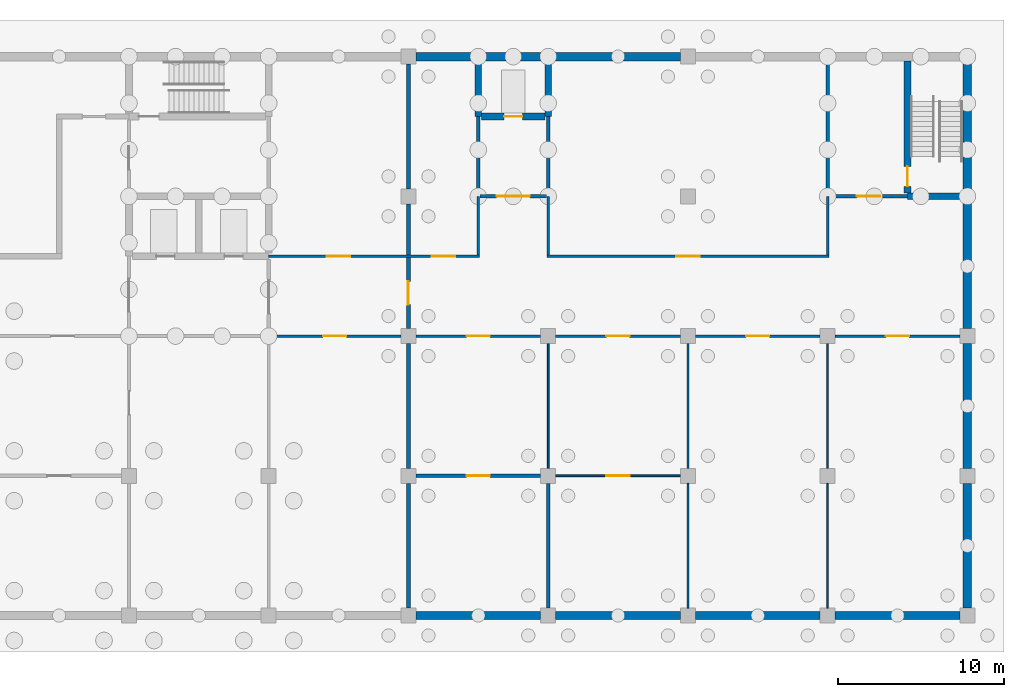
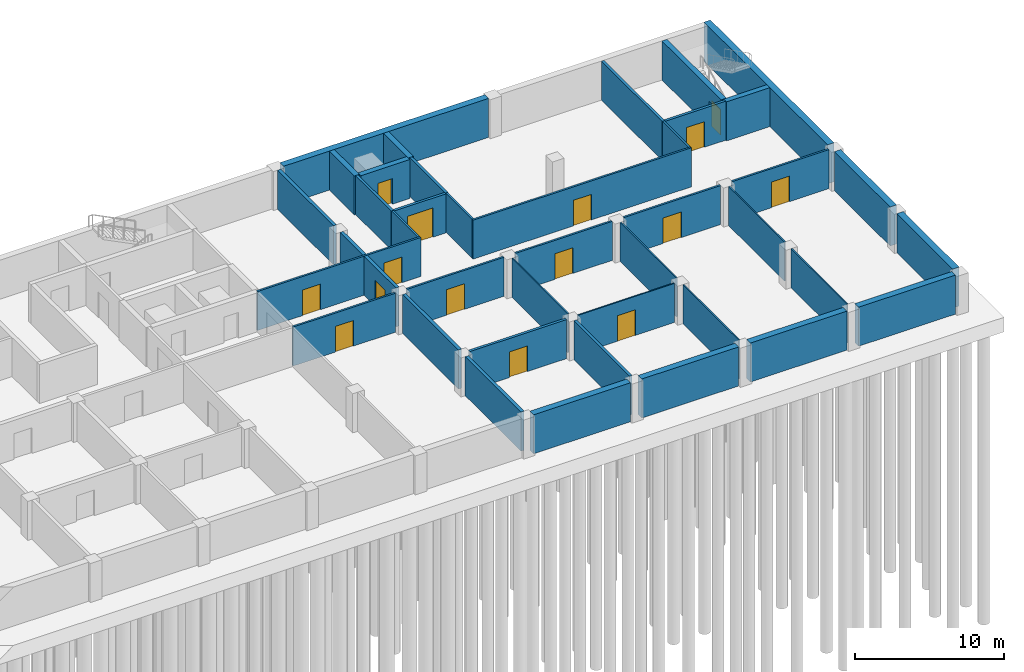
# One storey, part 8 of 11: 41 walls, 15 doors, 15 openings.
"""IFC4 building model written with IfcOpenShell, lengths in metres."""

from ifc_helpers import new_model, si_unit, direction, frame, frame_2d, origin, place, context, subcontext, project, spatial, rectangle, extrude, material, layer, layer_set, type_object, element, fill, save


model = new_model("IFC4")

# Units and contexts
model_context = context("Model", 3, precision=1e-05, world=origin(), true_north=direction((0.0, 1.0)))
body_context = subcontext(model_context, "Body", "Model", "MODEL_VIEW")
ifc_project = project(units=[si_unit("LENGTHUNIT", "METRE"), si_unit("AREAUNIT", "SQUARE_METRE"), si_unit("VOLUMEUNIT", "CUBIC_METRE"), si_unit("PLANEANGLEUNIT", "RADIAN"), si_unit("MASSUNIT", "GRAM", prefix="KILO")], contexts=[model_context])

# Site, building, storey
site_placement = place(None, origin())
site = spatial("IfcSite", under=ifc_project, at=site_placement, CompositionType="ELEMENT")
building_placement = place(site_placement, origin())
building = spatial("IfcBuilding", under=site, at=building_placement, Name="Yavir Park General Hospital", CompositionType="ELEMENT")
storey_placement = place(building_placement, frame((0.0, 0.0, -15.0)))
storey = spatial("IfcBuildingStorey", under=building, at=storey_placement, Name="B4", CompositionType="ELEMENT", Elevation=-15.0)

# Walls
ifc_material_1 = material(Name="Concrete C30/37", Category="concrete")
ifc_layer_1 = layer(ifc_material_1, 0.25)
ifc_layer_set_1 = layer_set([ifc_layer_1], Name="Concrete C30/37")
wall_type_1 = type_object("IfcWallType", Name="Compartment fire wall 250, REI 150", PredefinedType="SOLIDWALL", material=ifc_layer_set_1)
for number, where, z_axis, x_axis, name in (
    (1, (134.39990234375, 0.449951171875, 0.0), (0.0, 0.0, 1.0), (0.0, 1.0, 0.0), "FW25 B4-129"),
    (2, (134.39990234375, 8.85009765625, 0.0), (0.0, 0.0, 1.0), (0.0, 1.0, 0.0), "FW25 B4-130"),
):
    element("IfcWall", number, at=place(storey_placement, frame(where, z_axis=z_axis, x_axis=x_axis)), inside=storey, type_object=wall_type_1, Name=name, PredefinedType="SOLIDWALL", context=body_context, shape_type="SweptSolid", body=[
        extrude(rectangle(XDim=7.5, YDim=0.25, at=frame_2d((3.75, 0.0))), origin(), (0.0, 0.0, 1.0), 3.199951171875),
    ])

# Wall, opening, door
wall_1_placement = place(storey_placement, frame((134.39990234375, 17.25, 0.0), z_axis=(0.0, 0.0, 1.0), x_axis=(0.0, 1.0, 0.0)))
wall_1 = element("IfcWall", 3, at=wall_1_placement, inside=storey, type_object=wall_type_1, Name="FW25 B4-131", PredefinedType="SOLIDWALL", context=body_context, shape_type="SweptSolid", body=[
    extrude(rectangle(XDim=4.27490234375, YDim=0.25, at=frame_2d((2.137451171875, 0.0))), origin(), (0.0, 0.0, 1.0), 3.199951171875),
])
opening_1_placement = place(wall_1_placement, frame((1.4375, 0.0, 0.0)))
opening_1 = element("IfcOpeningElement", 4, at=opening_1_placement, cuts=wall_1, Name="Opening B4.D069", PredefinedType="OPENING", context=body_context, shape_type="SweptSolid", body=[
    extrude(rectangle(XDim=1.39990234375, YDim=2.10009765625, at=frame_2d((0.699951171875, 1.050048828125))), frame((0.0, 0.135009765625, 0.0), z_axis=(0.0, -1.0, 0.0), x_axis=(1.0, 0.0, 0.0)), (0.0, 0.0, 1.0), 0.27001953125),
])
ifc_material_2 = material(Name="Steel frame, fire-resisting leaves with vision panels", Category="steel")
door_type_1 = type_object("IfcDoorType", Name="Double fire door with vision panels 1400 x 2100, EI 60", OperationType="DOUBLE_DOOR_SINGLE_SWING", PredefinedType="DOOR", material=ifc_material_2)
door_1_placement = place(opening_1_placement, origin())
door_1 = element("IfcDoor", 5, at=door_1_placement, inside=storey, type_object=door_type_1, Name="B4.D069", OperationType="SINGLE_SWING_LEFT", OverallHeight=2.10009765625, OverallWidth=1.39990234375, PredefinedType="DOOR", context=body_context, shape_type="SweptSolid", body=[
    extrude(rectangle(XDim=1.39990234375, YDim=2.10009765625, at=frame_2d((0.699951171875, 1.050048828125))), frame((0.0, 0.030029296875, 0.0), z_axis=(0.0, -1.0, 0.0), x_axis=(1.0, 0.0, 0.0)), (0.0, 0.0, 1.0), 0.06005859375),
])
fill(opening_1, door_1)

# Walls
wall_2_placement = place(storey_placement, frame((134.39990234375, 21.675048828125, 0.0), z_axis=(0.0, 0.0, 1.0), x_axis=(0.0, 1.0, 0.0)))
element("IfcWall", 6, at=wall_2_placement, inside=storey, type_object=wall_type_1, Name="FW25 B4-132", PredefinedType="SOLIDWALL", context=body_context, shape_type="SweptSolid", body=[
    extrude(rectangle(XDim=3.074951171875, YDim=0.25, at=frame_2d((1.53759765625, 0.0))), origin(), (0.0, 0.0, 1.0), 3.199951171875),
])
wall_3_placement = place(storey_placement, frame((134.39990234375, 25.64990234375, 0.0), z_axis=(0.0, 0.0, 1.0), x_axis=(0.0, 1.0, 0.0)))
element("IfcWall", 7, at=wall_3_placement, inside=storey, type_object=wall_type_1, Name="FW25 B4-133", PredefinedType="SOLIDWALL", context=body_context, shape_type="SweptSolid", body=[
    extrude(rectangle(XDim=7.5, YDim=0.25, at=frame_2d((3.75, 0.0))), origin(), (0.0, 0.0, 1.0), 3.199951171875),
])

# Wall, opening, door
ifc_material_3 = material(Name="Double gypsum board fire partition on steel studs", Category="steel")
ifc_layer_2 = layer(ifc_material_3, 0.199951171875)
ifc_layer_set_2 = layer_set([ifc_layer_2], Name="Double gypsum board fire partition on steel studs")
wall_type_2 = type_object("IfcWallType", Name="Fire-rated partition 200, EI 60", PredefinedType="PARTITIONING", material=ifc_layer_set_2)
wall_4_placement = place(storey_placement, frame((134.85009765625, 8.39990234375, 0.0), z_axis=(0.0, 0.0, 1.0), x_axis=(1.0, 0.0, 0.0)))
wall_4 = element("IfcWall", 8, at=wall_4_placement, inside=storey, type_object=wall_type_2, Name="FP20 B4-009", PredefinedType="PARTITIONING", context=body_context, shape_type="SweptSolid", body=[
    extrude(rectangle(XDim=7.5, YDim=0.199951171875, at=frame_2d((3.75, 0.0))), origin(), (0.0, 0.0, 1.0), 3.199951171875),
])
opening_2_placement = place(wall_4_placement, frame((3.050048828125, 0.0, 0.0)))
opening_2 = element("IfcOpeningElement", 9, at=opening_2_placement, cuts=wall_4, Name="Opening B4.D009", PredefinedType="OPENING", context=body_context, shape_type="SweptSolid", body=[
    extrude(rectangle(XDim=1.39990234375, YDim=2.10009765625, at=frame_2d((0.699951171875, 1.050048828125))), frame((0.0, 0.10986328125, 0.0), z_axis=(0.0, -1.0, 0.0), x_axis=(1.0, 0.0, 0.0)), (0.0, 0.0, 1.0), 0.219970703125),
])
ifc_material_4 = material(Name="Steel frame, fire-resisting timber leaves", Category="steel")
door_type_2 = type_object("IfcDoorType", Name="Double fire door 1400 x 2100, EI 60", OperationType="DOUBLE_DOOR_SINGLE_SWING", PredefinedType="DOOR", material=ifc_material_4)
door_2_placement = place(opening_2_placement, origin())
door_2 = element("IfcDoor", 10, at=door_2_placement, inside=storey, type_object=door_type_2, Name="B4.D009", OperationType="SINGLE_SWING_LEFT", OverallHeight=2.10009765625, OverallWidth=1.39990234375, PredefinedType="DOOR", context=body_context, shape_type="SweptSolid", body=[
    extrude(rectangle(XDim=1.39990234375, YDim=2.10009765625, at=frame_2d((0.699951171875, 1.050048828125))), frame((0.0, 0.02490234375, 0.0), z_axis=(0.0, -1.0, 0.0), x_axis=(1.0, 0.0, 0.0)), (0.0, 0.0, 1.0), 0.050048828125),
])
fill(opening_2, door_2)

wall_5_placement = place(storey_placement, frame((138.699951171875, 25.199951171875, 0.0), z_axis=(0.0, 0.0, 1.0), x_axis=(1.0, 0.0, 0.0)))
wall_5 = element("IfcWall", 11, at=wall_5_placement, inside=storey, type_object=wall_type_2, Name="FP20 B4-048", PredefinedType="PARTITIONING", context=body_context, shape_type="SweptSolid", body=[
    extrude(rectangle(XDim=4.0, YDim=0.199951171875, at=frame_2d((2.0, 0.0))), origin(), (0.0, 0.0, 1.0), 3.199951171875),
])
opening_3_placement = place(wall_5_placement, frame((1.0, 0.0, 0.0)))
opening_3 = element("IfcOpeningElement", 12, at=opening_3_placement, cuts=wall_5, Name="Opening B4.D047", PredefinedType="OPENING", context=body_context, shape_type="SweptSolid", body=[
    extrude(rectangle(XDim=2.0, YDim=2.39990234375, at=frame_2d((1.0, 1.199951171875))), frame((0.0, 0.10986328125, 0.0), z_axis=(0.0, -1.0, 0.0), x_axis=(1.0, 0.0, 0.0)), (0.0, 0.0, 1.0), 0.219970703125),
])
ifc_material_5 = material(Name="Steel frame, fire-resisting leaves with vision panels", Category="steel")
door_type_3 = type_object("IfcDoorType", Name="Double fire door with vision panels 2000 x 2400, EI 60", OperationType="DOUBLE_DOOR_SINGLE_SWING", PredefinedType="DOOR", material=ifc_material_5)
door_3_placement = place(opening_3_placement, origin())
door_3 = element("IfcDoor", 13, at=door_3_placement, inside=storey, type_object=door_type_3, Name="B4.D047", OperationType="SINGLE_SWING_LEFT", OverallHeight=2.39990234375, OverallWidth=2.0, PredefinedType="DOOR", context=body_context, shape_type="SweptSolid", body=[
    extrude(rectangle(XDim=2.0, YDim=2.39990234375, at=frame_2d((1.0, 1.199951171875))), frame((0.0, 0.030029296875, 0.0), z_axis=(0.0, -1.0, 0.0), x_axis=(1.0, 0.0, 0.0)), (0.0, 0.0, 1.0), 0.06005859375),
])
fill(opening_3, door_3)

wall_6_placement = place(storey_placement, frame((159.699951171875, 25.199951171875, 0.0), z_axis=(0.0, 0.0, 1.0), x_axis=(1.0, 0.0, 0.0)))
wall_6 = element("IfcWall", 14, at=wall_6_placement, inside=storey, type_object=wall_type_2, Name="FP20 B4-049", PredefinedType="PARTITIONING", context=body_context, shape_type="SweptSolid", body=[
    extrude(rectangle(XDim=4.699951171875, YDim=0.199951171875, at=frame_2d((2.35009765625, 0.0))), origin(), (0.0, 0.0, 1.0), 3.199951171875),
])
opening_4_placement = place(wall_6_placement, frame((1.64990234375, 0.0, 0.0)))
opening_4 = element("IfcOpeningElement", 15, at=opening_4_placement, cuts=wall_6, Name="Opening B4.D048", PredefinedType="OPENING", context=body_context, shape_type="SweptSolid", body=[
    extrude(rectangle(XDim=1.39990234375, YDim=2.10009765625, at=frame_2d((0.699951171875, 1.050048828125))), frame((0.0, 0.10986328125, 0.0), z_axis=(0.0, -1.0, 0.0), x_axis=(1.0, 0.0, 0.0)), (0.0, 0.0, 1.0), 0.219970703125),
])
door_4_placement = place(opening_4_placement, origin())
door_4 = element("IfcDoor", 16, at=door_4_placement, inside=storey, type_object=door_type_1, Name="B4.D048", OperationType="SINGLE_SWING_LEFT", OverallHeight=2.10009765625, OverallWidth=1.39990234375, PredefinedType="DOOR", context=body_context, shape_type="SweptSolid", body=[
    extrude(rectangle(XDim=1.39990234375, YDim=2.10009765625, at=frame_2d((0.699951171875, 1.050048828125))), frame((0.0, 0.030029296875, 0.0), z_axis=(0.0, -1.0, 0.0), x_axis=(1.0, 0.0, 0.0)), (0.0, 0.0, 1.0), 0.06005859375),
])
fill(opening_4, door_4)

# Walls
wall_7_placement = place(storey_placement, frame((138.60009765625, 25.199951171875, 0.0), z_axis=(0.0, 0.0, 1.0), x_axis=(0.0, 1.0, 0.0)))
element("IfcWall", 17, at=wall_7_placement, inside=storey, type_object=wall_type_2, Name="FP20 B4-135", PredefinedType="PARTITIONING", context=body_context, shape_type="SweptSolid", body=[
    extrude(rectangle(XDim=4.800048828125, YDim=0.199951171875, at=frame_2d((2.39990234375, 0.0))), origin(), (0.0, 0.0, 1.0), 3.199951171875),
])
wall_8_placement = place(storey_placement, frame((142.800048828125, 0.449951171875, 0.0), z_axis=(0.0, 0.0, 1.0), x_axis=(0.0, 1.0, 0.0)))
element("IfcWall", 18, at=wall_8_placement, inside=storey, type_object=wall_type_2, Name="FP20 B4-137", PredefinedType="PARTITIONING", context=body_context, shape_type="SweptSolid", body=[
    extrude(rectangle(XDim=7.5, YDim=0.199951171875, at=frame_2d((3.75, 0.0))), origin(), (0.0, 0.0, 1.0), 3.199951171875),
])
wall_9_placement = place(storey_placement, frame((142.800048828125, 25.199951171875, 0.0), z_axis=(0.0, 0.0, 1.0), x_axis=(0.0, 1.0, 0.0)))
element("IfcWall", 19, at=wall_9_placement, inside=storey, type_object=wall_type_2, Name="FP20 B4-140", PredefinedType="PARTITIONING", context=body_context, shape_type="SweptSolid", body=[
    extrude(rectangle(XDim=4.800048828125, YDim=0.199951171875, at=frame_2d((2.39990234375, 0.0))), origin(), (0.0, 0.0, 1.0), 3.199951171875),
])
wall_10_placement = place(storey_placement, frame((159.60009765625, 25.199951171875, 0.0), z_axis=(0.0, 0.0, 1.0), x_axis=(0.0, 1.0, 0.0)))
element("IfcWall", 20, at=wall_10_placement, inside=storey, type_object=wall_type_2, Name="FP20 B4-147", PredefinedType="PARTITIONING", context=body_context, shape_type="SweptSolid", body=[
    extrude(rectangle(XDim=8.150146484375, YDim=0.199951171875, at=frame_2d((4.0751953125, 0.0))), origin(), (0.0, 0.0, 1.0), 3.199951171875),
])

# Wall, opening, door
ifc_material_6 = material(Name="Gypsum board partition on steel studs", Category="steel")
ifc_layer_3 = layer(ifc_material_6, 0.10009765625)
ifc_layer_set_3 = layer_set([ifc_layer_3], Name="Gypsum board partition on steel studs")
wall_type_3 = type_object("IfcWallType", Name="Gypsum board partition 100", PredefinedType="PARTITIONING", material=ifc_layer_set_3)
wall_11_placement = place(storey_placement, frame((143.25, 8.39990234375, 0.0), z_axis=(0.0, 0.0, 1.0), x_axis=(1.0, 0.0, 0.0)))
wall_11 = element("IfcWall", 21, at=wall_11_placement, inside=storey, type_object=wall_type_3, Name="P10 B4-010", PredefinedType="PARTITIONING", context=body_context, shape_type="SweptSolid", body=[
    extrude(rectangle(XDim=7.5, YDim=0.10009765625, at=frame_2d((3.75, 0.0))), origin(), (0.0, 0.0, 1.0), 3.199951171875),
])
opening_5_placement = place(wall_11_placement, frame((3.050048828125, 0.0, 0.0)))
opening_5 = element("IfcOpeningElement", 22, at=opening_5_placement, cuts=wall_11, Name="Opening B4.D010", PredefinedType="OPENING", context=body_context, shape_type="SweptSolid", body=[
    extrude(rectangle(XDim=1.39990234375, YDim=2.10009765625, at=frame_2d((0.699951171875, 1.050048828125))), frame((0.0, 0.06005859375, 0.0), z_axis=(0.0, -1.0, 0.0), x_axis=(1.0, 0.0, 0.0)), (0.0, 0.0, 1.0), 0.1201171875),
])
ifc_material_7 = material(Name="Hollow metal frame, solid-core timber leaf", Category="wood")
door_type_4 = type_object("IfcDoorType", Name="Double swing door 1400 x 2100", OperationType="DOUBLE_DOOR_SINGLE_SWING", PredefinedType="DOOR", material=ifc_material_7)
door_5_placement = place(opening_5_placement, origin())
door_5 = element("IfcDoor", 23, at=door_5_placement, inside=storey, type_object=door_type_4, Name="B4.D010", OperationType="SINGLE_SWING_LEFT", OverallHeight=2.10009765625, OverallWidth=1.39990234375, PredefinedType="DOOR", context=body_context, shape_type="SweptSolid", body=[
    extrude(rectangle(XDim=1.39990234375, YDim=2.10009765625, at=frame_2d((0.699951171875, 1.050048828125))), frame((0.0, 0.02490234375, 0.0), z_axis=(0.0, -1.0, 0.0), x_axis=(1.0, 0.0, 0.0)), (0.0, 0.0, 1.0), 0.050048828125),
])
fill(opening_5, door_5)

# Walls
for number, where, z_axis, x_axis, name in (
    (24, (142.800048828125, 8.85009765625, 0.0), (0.0, 0.0, 1.0), (0.0, 1.0, 0.0), "P10 B4-138"),
    (25, (151.199951171875, 0.449951171875, 0.0), (0.0, 0.0, 1.0), (0.0, 1.0, 0.0), "P10 B4-142"),
    (26, (151.199951171875, 8.85009765625, 0.0), (0.0, 0.0, 1.0), (0.0, 1.0, 0.0), "P10 B4-143"),
    (27, (159.60009765625, 0.449951171875, 0.0), (0.0, 0.0, 1.0), (0.0, 1.0, 0.0), "P10 B4-144"),
    (28, (159.60009765625, 8.85009765625, 0.0), (0.0, 0.0, 1.0), (0.0, 1.0, 0.0), "P10 B4-145"),
):
    element("IfcWall", number, at=place(storey_placement, frame(where, z_axis=z_axis, x_axis=x_axis)), inside=storey, type_object=wall_type_3, Name=name, PredefinedType="PARTITIONING", context=body_context, shape_type="SweptSolid", body=[
        extrude(rectangle(XDim=7.5, YDim=0.10009765625, at=frame_2d((3.75, 0.0))), origin(), (0.0, 0.0, 1.0), 3.199951171875),
    ])

# Wall, opening, door
ifc_material_8 = material(Name="Gypsum board partition on steel studs", Category="steel")
ifc_layer_4 = layer(ifc_material_8, 0.14990234375)
ifc_layer_set_4 = layer_set([ifc_layer_4], Name="Gypsum board partition on steel studs")
wall_type_4 = type_object("IfcWallType", Name="Gypsum board partition 150", PredefinedType="PARTITIONING", material=ifc_layer_set_4)
wall_12_placement = place(storey_placement, frame((126.0, 16.800048828125, 0.0), z_axis=(0.0, 0.0, 1.0), x_axis=(1.0, 0.0, 0.0)))
wall_12 = element("IfcWall", 29, at=wall_12_placement, inside=storey, type_object=wall_type_4, Name="P15 B4-023", PredefinedType="PARTITIONING", context=body_context, shape_type="SweptSolid", body=[
    extrude(rectangle(XDim=7.949951171875, YDim=0.14990234375, at=frame_2d((3.97509765625, 0.0))), origin(), (0.0, 0.0, 1.0), 3.199951171875),
])
opening_6_placement = place(wall_12_placement, frame((3.27490234375, 0.0, 0.0)))
opening_6 = element("IfcOpeningElement", 30, at=opening_6_placement, cuts=wall_12, Name="Opening B4.D025", PredefinedType="OPENING", context=body_context, shape_type="SweptSolid", body=[
    extrude(rectangle(XDim=1.39990234375, YDim=2.10009765625, at=frame_2d((0.699951171875, 1.050048828125))), frame((0.0, 0.0849609375, 0.0), z_axis=(0.0, -1.0, 0.0), x_axis=(1.0, 0.0, 0.0)), (0.0, 0.0, 1.0), 0.169921875),
])
door_6_placement = place(opening_6_placement, origin())
door_6 = element("IfcDoor", 31, at=door_6_placement, inside=storey, type_object=door_type_4, Name="B4.D025", OperationType="SINGLE_SWING_RIGHT", OverallHeight=2.10009765625, OverallWidth=1.39990234375, PredefinedType="DOOR", context=body_context, shape_type="SweptSolid", body=[
    extrude(rectangle(XDim=1.39990234375, YDim=2.10009765625, at=frame_2d((0.699951171875, 1.050048828125))), frame((0.0, 0.02490234375, 0.0), z_axis=(0.0, -1.0, 0.0), x_axis=(1.0, 0.0, 0.0)), (0.0, 0.0, 1.0), 0.050048828125),
])
fill(opening_6, door_6)

wall_13_placement = place(storey_placement, frame((134.85009765625, 16.800048828125, 0.0), z_axis=(0.0, 0.0, 1.0), x_axis=(1.0, 0.0, 0.0)))
wall_13 = element("IfcWall", 32, at=wall_13_placement, inside=storey, type_object=wall_type_4, Name="P15 B4-024", PredefinedType="PARTITIONING", context=body_context, shape_type="SweptSolid", body=[
    extrude(rectangle(XDim=7.5, YDim=0.14990234375, at=frame_2d((3.75, 0.0))), origin(), (0.0, 0.0, 1.0), 3.199951171875),
])
opening_7_placement = place(wall_13_placement, frame((3.050048828125, 0.0, 0.0)))
opening_7 = element("IfcOpeningElement", 33, at=opening_7_placement, cuts=wall_13, Name="Opening B4.D026", PredefinedType="OPENING", context=body_context, shape_type="SweptSolid", body=[
    extrude(rectangle(XDim=1.39990234375, YDim=2.10009765625, at=frame_2d((0.699951171875, 1.050048828125))), frame((0.0, 0.0849609375, 0.0), z_axis=(0.0, -1.0, 0.0), x_axis=(1.0, 0.0, 0.0)), (0.0, 0.0, 1.0), 0.169921875),
])
door_7_placement = place(opening_7_placement, origin())
door_7 = element("IfcDoor", 34, at=door_7_placement, inside=storey, type_object=door_type_4, Name="B4.D026", OperationType="SINGLE_SWING_LEFT", OverallHeight=2.10009765625, OverallWidth=1.39990234375, PredefinedType="DOOR", context=body_context, shape_type="SweptSolid", body=[
    extrude(rectangle(XDim=1.39990234375, YDim=2.10009765625, at=frame_2d((0.699951171875, 1.050048828125))), frame((0.0, 0.02490234375, 0.0), z_axis=(0.0, -1.0, 0.0), x_axis=(1.0, 0.0, 0.0)), (0.0, 0.0, 1.0), 0.050048828125),
])
fill(opening_7, door_7)

wall_14_placement = place(storey_placement, frame((143.25, 16.800048828125, 0.0), z_axis=(0.0, 0.0, 1.0), x_axis=(1.0, 0.0, 0.0)))
wall_14 = element("IfcWall", 35, at=wall_14_placement, inside=storey, type_object=wall_type_4, Name="P15 B4-025", PredefinedType="PARTITIONING", context=body_context, shape_type="SweptSolid", body=[
    extrude(rectangle(XDim=7.5, YDim=0.14990234375, at=frame_2d((3.75, 0.0))), origin(), (0.0, 0.0, 1.0), 3.199951171875),
])
opening_8_placement = place(wall_14_placement, frame((3.050048828125, 0.0, 0.0)))
opening_8 = element("IfcOpeningElement", 36, at=opening_8_placement, cuts=wall_14, Name="Opening B4.D027", PredefinedType="OPENING", context=body_context, shape_type="SweptSolid", body=[
    extrude(rectangle(XDim=1.39990234375, YDim=2.10009765625, at=frame_2d((0.699951171875, 1.050048828125))), frame((0.0, 0.0849609375, 0.0), z_axis=(0.0, -1.0, 0.0), x_axis=(1.0, 0.0, 0.0)), (0.0, 0.0, 1.0), 0.169921875),
])
door_8_placement = place(opening_8_placement, origin())
door_8 = element("IfcDoor", 37, at=door_8_placement, inside=storey, type_object=door_type_4, Name="B4.D027", OperationType="SINGLE_SWING_LEFT", OverallHeight=2.10009765625, OverallWidth=1.39990234375, PredefinedType="DOOR", context=body_context, shape_type="SweptSolid", body=[
    extrude(rectangle(XDim=1.39990234375, YDim=2.10009765625, at=frame_2d((0.699951171875, 1.050048828125))), frame((0.0, 0.02490234375, 0.0), z_axis=(0.0, -1.0, 0.0), x_axis=(1.0, 0.0, 0.0)), (0.0, 0.0, 1.0), 0.050048828125),
])
fill(opening_8, door_8)

wall_15_placement = place(storey_placement, frame((151.64990234375, 16.800048828125, 0.0), z_axis=(0.0, 0.0, 1.0), x_axis=(1.0, 0.0, 0.0)))
wall_15 = element("IfcWall", 38, at=wall_15_placement, inside=storey, type_object=wall_type_4, Name="P15 B4-026", PredefinedType="PARTITIONING", context=body_context, shape_type="SweptSolid", body=[
    extrude(rectangle(XDim=7.5, YDim=0.14990234375, at=frame_2d((3.75, 0.0))), origin(), (0.0, 0.0, 1.0), 3.199951171875),
])
opening_9_placement = place(wall_15_placement, frame((3.050048828125, 0.0, 0.0)))
opening_9 = element("IfcOpeningElement", 39, at=opening_9_placement, cuts=wall_15, Name="Opening B4.D028", PredefinedType="OPENING", context=body_context, shape_type="SweptSolid", body=[
    extrude(rectangle(XDim=1.39990234375, YDim=2.10009765625, at=frame_2d((0.699951171875, 1.050048828125))), frame((0.0, 0.0849609375, 0.0), z_axis=(0.0, -1.0, 0.0), x_axis=(1.0, 0.0, 0.0)), (0.0, 0.0, 1.0), 0.169921875),
])
door_9_placement = place(opening_9_placement, origin())
door_9 = element("IfcDoor", 40, at=door_9_placement, inside=storey, type_object=door_type_4, Name="B4.D028", OperationType="SINGLE_SWING_LEFT", OverallHeight=2.10009765625, OverallWidth=1.39990234375, PredefinedType="DOOR", context=body_context, shape_type="SweptSolid", body=[
    extrude(rectangle(XDim=1.39990234375, YDim=2.10009765625, at=frame_2d((0.699951171875, 1.050048828125))), frame((0.0, 0.02490234375, 0.0), z_axis=(0.0, -1.0, 0.0), x_axis=(1.0, 0.0, 0.0)), (0.0, 0.0, 1.0), 0.050048828125),
])
fill(opening_9, door_9)

wall_16_placement = place(storey_placement, frame((160.050048828125, 16.800048828125, 0.0), z_axis=(0.0, 0.0, 1.0), x_axis=(1.0, 0.0, 0.0)))
wall_16 = element("IfcWall", 41, at=wall_16_placement, inside=storey, type_object=wall_type_4, Name="P15 B4-027", PredefinedType="PARTITIONING", context=body_context, shape_type="SweptSolid", body=[
    extrude(rectangle(XDim=7.5, YDim=0.14990234375, at=frame_2d((3.75, 0.0))), origin(), (0.0, 0.0, 1.0), 3.199951171875),
])
opening_10_placement = place(wall_16_placement, frame((3.050048828125, 0.0, 0.0)))
opening_10 = element("IfcOpeningElement", 42, at=opening_10_placement, cuts=wall_16, Name="Opening B4.D029", PredefinedType="OPENING", context=body_context, shape_type="SweptSolid", body=[
    extrude(rectangle(XDim=1.39990234375, YDim=2.10009765625, at=frame_2d((0.699951171875, 1.050048828125))), frame((0.0, 0.0849609375, 0.0), z_axis=(0.0, -1.0, 0.0), x_axis=(1.0, 0.0, 0.0)), (0.0, 0.0, 1.0), 0.169921875),
])
door_10_placement = place(opening_10_placement, origin())
door_10 = element("IfcDoor", 43, at=door_10_placement, inside=storey, type_object=door_type_4, Name="B4.D029", OperationType="SINGLE_SWING_LEFT", OverallHeight=2.10009765625, OverallWidth=1.39990234375, PredefinedType="DOOR", context=body_context, shape_type="SweptSolid", body=[
    extrude(rectangle(XDim=1.39990234375, YDim=2.10009765625, at=frame_2d((0.699951171875, 1.050048828125))), frame((0.0, 0.02490234375, 0.0), z_axis=(0.0, -1.0, 0.0), x_axis=(1.0, 0.0, 0.0)), (0.0, 0.0, 1.0), 0.050048828125),
])
fill(opening_10, door_10)

# Wall, openings, doors
wall_17_placement = place(storey_placement, frame((126.0, 21.60009765625, 0.0), z_axis=(0.0, 0.0, 1.0), x_axis=(1.0, 0.0, 0.0)))
wall_17 = element("IfcWall", 44, at=wall_17_placement, inside=storey, type_object=wall_type_4, Name="P15 B4-038", PredefinedType="PARTITIONING", context=body_context, shape_type="SweptSolid", body=[
    extrude(rectangle(XDim=12.675048828125, YDim=0.14990234375, at=frame_2d((6.33740234375, 0.0))), origin(), (0.0, 0.0, 1.0), 3.199951171875),
])
opening_11_placement = place(wall_17_placement, frame((3.5, 0.0, 0.0)))
opening_11 = element("IfcOpeningElement", 45, at=opening_11_placement, cuts=wall_17, Name="Opening B4.D040", PredefinedType="OPENING", context=body_context, shape_type="SweptSolid", body=[
    extrude(rectangle(XDim=1.39990234375, YDim=2.10009765625, at=frame_2d((0.699951171875, 1.050048828125))), frame((0.0, 0.0849609375, 0.0), z_axis=(0.0, -1.0, 0.0), x_axis=(1.0, 0.0, 0.0)), (0.0, 0.0, 1.0), 0.169921875),
])
opening_12_placement = place(wall_17_placement, frame((9.800048828125, 0.0, 0.0)))
opening_12 = element("IfcOpeningElement", 46, at=opening_12_placement, cuts=wall_17, Name="Opening B4.D041", PredefinedType="OPENING", context=body_context, shape_type="SweptSolid", body=[
    extrude(rectangle(XDim=1.39990234375, YDim=2.10009765625, at=frame_2d((0.699951171875, 1.050048828125))), frame((0.0, 0.0849609375, 0.0), z_axis=(0.0, -1.0, 0.0), x_axis=(1.0, 0.0, 0.0)), (0.0, 0.0, 1.0), 0.169921875),
])
door_11_placement = place(opening_11_placement, origin())
door_11 = element("IfcDoor", 47, at=door_11_placement, inside=storey, type_object=door_type_4, Name="B4.D040", OperationType="SINGLE_SWING_LEFT", OverallHeight=2.10009765625, OverallWidth=1.39990234375, PredefinedType="DOOR", context=body_context, shape_type="SweptSolid", body=[
    extrude(rectangle(XDim=1.39990234375, YDim=2.10009765625, at=frame_2d((0.699951171875, 1.050048828125))), frame((0.0, 0.02490234375, 0.0), z_axis=(0.0, -1.0, 0.0), x_axis=(1.0, 0.0, 0.0)), (0.0, 0.0, 1.0), 0.050048828125),
])
fill(opening_11, door_11)
door_12_placement = place(opening_12_placement, origin())
door_12 = element("IfcDoor", 48, at=door_12_placement, inside=storey, type_object=door_type_4, Name="B4.D041", OperationType="SINGLE_SWING_RIGHT", OverallHeight=2.10009765625, OverallWidth=1.39990234375, PredefinedType="DOOR", context=body_context, shape_type="SweptSolid", body=[
    extrude(rectangle(XDim=1.39990234375, YDim=2.10009765625, at=frame_2d((0.699951171875, 1.050048828125))), frame((0.0, 0.02490234375, 0.0), z_axis=(0.0, -1.0, 0.0), x_axis=(1.0, 0.0, 0.0)), (0.0, 0.0, 1.0), 0.050048828125),
])
fill(opening_12, door_12)

# Wall, opening, door
wall_18_placement = place(storey_placement, frame((142.72509765625, 21.60009765625, 0.0), z_axis=(0.0, 0.0, 1.0), x_axis=(1.0, 0.0, 0.0)))
wall_18 = element("IfcWall", 49, at=wall_18_placement, inside=storey, type_object=wall_type_4, Name="P15 B4-039", PredefinedType="PARTITIONING", context=body_context, shape_type="SweptSolid", body=[
    extrude(rectangle(XDim=16.949951171875, YDim=0.14990234375, at=frame_2d((8.47509765625, 0.0))), origin(), (0.0, 0.0, 1.0), 3.199951171875),
])
opening_13_placement = place(wall_18_placement, frame((7.77490234375, 0.0, 0.0)))
opening_13 = element("IfcOpeningElement", 50, at=opening_13_placement, cuts=wall_18, Name="Opening B4.D042", PredefinedType="OPENING", context=body_context, shape_type="SweptSolid", body=[
    extrude(rectangle(XDim=1.39990234375, YDim=2.10009765625, at=frame_2d((0.699951171875, 1.050048828125))), frame((0.0, 0.0849609375, 0.0), z_axis=(0.0, -1.0, 0.0), x_axis=(1.0, 0.0, 0.0)), (0.0, 0.0, 1.0), 0.169921875),
])
door_13_placement = place(opening_13_placement, origin())
door_13 = element("IfcDoor", 51, at=door_13_placement, inside=storey, type_object=door_type_4, Name="B4.D042", OperationType="SINGLE_SWING_RIGHT", OverallHeight=2.10009765625, OverallWidth=1.39990234375, PredefinedType="DOOR", context=body_context, shape_type="SweptSolid", body=[
    extrude(rectangle(XDim=1.39990234375, YDim=2.10009765625, at=frame_2d((0.699951171875, 1.050048828125))), frame((0.0, 0.02490234375, 0.0), z_axis=(0.0, -1.0, 0.0), x_axis=(1.0, 0.0, 0.0)), (0.0, 0.0, 1.0), 0.050048828125),
])
fill(opening_13, door_13)

# Walls
for number, where, z_axis, x_axis, name in (
    (52, (138.60009765625, 21.675048828125, 0.0), (0.0, 0.0, 1.0), (0.0, 1.0, 0.0), "P15 B4-134"),
    (53, (142.800048828125, 21.675048828125, 0.0), (0.0, 0.0, 1.0), (0.0, 1.0, 0.0), "P15 B4-139"),
    (54, (159.60009765625, 21.675048828125, 0.0), (0.0, 0.0, 1.0), (0.0, 1.0, 0.0), "P15 B4-146"),
):
    element("IfcWall", number, at=place(storey_placement, frame(where, z_axis=z_axis, x_axis=x_axis)), inside=storey, type_object=wall_type_4, Name=name, PredefinedType="PARTITIONING", context=body_context, shape_type="SweptSolid", body=[
        extrude(rectangle(XDim=3.52490234375, YDim=0.14990234375, at=frame_2d((1.762451171875, 0.0))), origin(), (0.0, 0.0, 1.0), 3.199951171875),
    ])
ifc_material_9 = material(Name="Concrete C35/45", Category="concrete")
ifc_layer_5 = layer(ifc_material_9, 0.5)
ifc_layer_set_5 = layer_set([ifc_layer_5], Name="Concrete C35/45")
wall_type_5 = type_object("IfcWallType", Name="RC WALL RETAINING 500", PredefinedType="SOLIDWALL", material=ifc_layer_set_5)
for number, where, z_axis, x_axis, name in (
    (55, (134.85009765625, 0.0, 0.0), (0.0, 0.0, 1.0), (1.0, 0.0, 0.0), "W:RET:B4:S16"),
    (56, (143.25, 0.0, 0.0), (0.0, 0.0, 1.0), (1.0, 0.0, 0.0), "W:RET:B4:S17"),
    (57, (151.64990234375, 0.0, 0.0), (0.0, 0.0, 1.0), (1.0, 0.0, 0.0), "W:RET:B4:S18"),
    (58, (160.050048828125, 0.0, 0.0), (0.0, 0.0, 1.0), (1.0, 0.0, 0.0), "W:RET:B4:S19"),
):
    element("IfcWall", number, at=place(storey_placement, frame(where, z_axis=z_axis, x_axis=x_axis)), inside=storey, type_object=wall_type_5, Name=name, PredefinedType="SOLIDWALL", context=body_context, shape_type="SweptSolid", body=[
        extrude(rectangle(XDim=7.5, YDim=0.5, at=frame_2d((3.75, 0.0))), origin(), (0.0, 0.0, 1.0), 3.199951171875),
    ])
wall_19_placement = place(storey_placement, frame((134.85009765625, 33.60009765625, 0.0), z_axis=(0.0, 0.0, 1.0), x_axis=(1.0, 0.0, 0.0)))
element("IfcWall", 59, at=wall_19_placement, inside=storey, type_object=wall_type_5, Name="W:RET:B4:N28", PredefinedType="SOLIDWALL", context=body_context, shape_type="SweptSolid", body=[
    extrude(rectangle(XDim=15.89990234375, YDim=0.5, at=frame_2d((7.949951171875, 0.0))), origin(), (0.0, 0.0, 1.0), 3.199951171875),
])
for number, where, z_axis, x_axis, name in (
    (60, (168.0, 0.449951171875, 0.0), (0.0, 0.0, 1.0), (0.0, 1.0, 0.0), "W:RET:B4:E33"),
    (61, (168.0, 8.85009765625, 0.0), (0.0, 0.0, 1.0), (0.0, 1.0, 0.0), "W:RET:B4:E34"),
):
    element("IfcWall", number, at=place(storey_placement, frame(where, z_axis=z_axis, x_axis=x_axis)), inside=storey, type_object=wall_type_5, Name=name, PredefinedType="SOLIDWALL", context=body_context, shape_type="SweptSolid", body=[
        extrude(rectangle(XDim=7.5, YDim=0.5, at=frame_2d((3.75, 0.0))), origin(), (0.0, 0.0, 1.0), 3.199951171875),
    ])
wall_20_placement = place(storey_placement, frame((168.0, 17.25, 0.0), z_axis=(0.0, 0.0, 1.0), x_axis=(0.0, 1.0, 0.0)))
element("IfcWall", 62, at=wall_20_placement, inside=storey, type_object=wall_type_5, Name="W:RET:B4:E35", PredefinedType="SOLIDWALL", context=body_context, shape_type="SweptSolid", body=[
    extrude(rectangle(XDim=16.60009765625, YDim=0.5, at=frame_2d((8.300048828125, 0.0))), origin(), (0.0, 0.0, 1.0), 3.199951171875),
])
ifc_material_10 = material(Name="Concrete C35/45", Category="concrete")
ifc_layer_6 = layer(ifc_material_10, 0.39990234375)
ifc_layer_set_6 = layer_set([ifc_layer_6], Name="Concrete C35/45")
wall_type_6 = type_object("IfcWallType", Name="Reinforced concrete core wall 400, REI 150", PredefinedType="SHEAR", material=ifc_layer_set_6)
wall_21_placement = place(storey_placement, frame((164.39990234375, 25.199951171875, 0.0), z_axis=(0.0, 0.0, 1.0), x_axis=(1.0, 0.0, 0.0)))
element("IfcWall", 63, at=wall_21_placement, inside=storey, type_object=wall_type_6, Name="CW40 B4-050", PredefinedType="SHEAR", context=body_context, shape_type="SweptSolid", body=[
    extrude(rectangle(XDim=3.35009765625, YDim=0.39990234375, at=frame_2d((1.675048828125, 0.0))), origin(), (0.0, 0.0, 1.0), 3.199951171875),
])

# Wall, opening, door
wall_22_placement = place(storey_placement, frame((138.800048828125, 30.0, 0.0), z_axis=(0.0, 0.0, 1.0), x_axis=(1.0, 0.0, 0.0)))
wall_22 = element("IfcWall", 64, at=wall_22_placement, inside=storey, type_object=wall_type_6, Name="CW40 B4-056", PredefinedType="SHEAR", context=body_context, shape_type="SweptSolid", body=[
    extrude(rectangle(XDim=3.800048828125, YDim=0.39990234375, at=frame_2d((1.89990234375, 0.0))), origin(), (0.0, 0.0, 1.0), 3.199951171875),
])
opening_14_placement = place(wall_22_placement, frame((1.35009765625, 0.0, 0.0)))
opening_14 = element("IfcOpeningElement", 65, at=opening_14_placement, cuts=wall_22, Name="Opening B4.D055", PredefinedType="OPENING", context=body_context, shape_type="SweptSolid", body=[
    extrude(rectangle(XDim=1.10009765625, YDim=2.10009765625, at=frame_2d((0.550048828125, 1.050048828125))), frame((0.0, 0.2099609375, 0.0), z_axis=(0.0, -1.0, 0.0), x_axis=(1.0, 0.0, 0.0)), (0.0, 0.0, 1.0), 0.419921875),
])
ifc_material_11 = material(Name="Stainless steel landing door panels", Category="steel")
door_type_5 = type_object("IfcDoorType", Name="Lift landing door 1100 x 2100, EI 60", OperationType="SLIDING_TO_LEFT", PredefinedType="DOOR", material=ifc_material_11)
door_14_placement = place(opening_14_placement, origin())
door_14 = element("IfcDoor", 66, at=door_14_placement, inside=storey, type_object=door_type_5, Name="B4.D055", OperationType="SLIDING_TO_LEFT", OverallHeight=2.10009765625, OverallWidth=1.10009765625, PredefinedType="DOOR", context=body_context, shape_type="SweptSolid", body=[
    extrude(rectangle(XDim=1.10009765625, YDim=2.10009765625, at=frame_2d((0.550048828125, 1.050048828125))), frame((0.0, 0.02490234375, 0.0), z_axis=(0.0, -1.0, 0.0), x_axis=(1.0, 0.0, 0.0)), (0.0, 0.0, 1.0), 0.050048828125),
])
fill(opening_14, door_14)

# Walls
for number, where, z_axis, x_axis, name in (
    (67, (138.60009765625, 30.0, 0.0), (0.0, 0.0, 1.0), (0.0, 1.0, 0.0), "CW40 B4-136"),
    (68, (142.800048828125, 30.0, 0.0), (0.0, 0.0, 1.0), (0.0, 1.0, 0.0), "CW40 B4-141"),
):
    element("IfcWall", number, at=place(storey_placement, frame(where, z_axis=z_axis, x_axis=x_axis)), inside=storey, type_object=wall_type_6, Name=name, PredefinedType="SHEAR", context=body_context, shape_type="SweptSolid", body=[
        extrude(rectangle(XDim=3.35009765625, YDim=0.39990234375, at=frame_2d((1.675048828125, 0.0))), origin(), (0.0, 0.0, 1.0), 3.199951171875),
    ])

# Wall, opening, door
wall_23_placement = place(storey_placement, frame((164.39990234375, 25.39990234375, 0.0), z_axis=(0.0, 0.0, 1.0), x_axis=(0.0, 1.0, 0.0)))
wall_23 = element("IfcWall", 69, at=wall_23_placement, inside=storey, type_object=wall_type_6, Name="CW40 B4-148", PredefinedType="SHEAR", context=body_context, shape_type="SweptSolid", body=[
    extrude(rectangle(XDim=7.9501953125, YDim=0.39990234375, at=frame_2d((3.97509765625, 0.0))), origin(), (0.0, 0.0, 1.0), 3.199951171875),
])
opening_15_placement = place(wall_23_placement, frame((0.39990234375, 0.0, 0.0)))
opening_15 = element("IfcOpeningElement", 70, at=opening_15_placement, cuts=wall_23, Name="Opening B4.D070", PredefinedType="OPENING", context=body_context, shape_type="SweptSolid", body=[
    extrude(rectangle(XDim=1.199951171875, YDim=2.10009765625, at=frame_2d((0.60009765625, 1.050048828125))), frame((0.0, 0.2099609375, 0.0), z_axis=(0.0, -1.0, 0.0), x_axis=(1.0, 0.0, 0.0)), (0.0, 0.0, 1.0), 0.419921875),
])
ifc_material_12 = material(Name="Steel frame, fire-resisting timber leaf", Category="steel")
door_type_6 = type_object("IfcDoorType", Name="Fire door 1200 x 2100, EI 60", OperationType="SINGLE_SWING_LEFT", PredefinedType="DOOR", material=ifc_material_12)
door_15_placement = place(opening_15_placement, origin())
door_15 = element("IfcDoor", 71, at=door_15_placement, inside=storey, type_object=door_type_6, Name="B4.D070", OperationType="SINGLE_SWING_LEFT", OverallHeight=2.10009765625, OverallWidth=1.199951171875, PredefinedType="DOOR", context=body_context, shape_type="SweptSolid", body=[
    extrude(rectangle(XDim=1.199951171875, YDim=2.10009765625, at=frame_2d((0.60009765625, 1.050048828125))), frame((0.0, 0.02490234375, 0.0), z_axis=(0.0, -1.0, 0.0), x_axis=(1.0, 0.0, 0.0)), (0.0, 0.0, 1.0), 0.050048828125),
])
fill(opening_15, door_15)

save(model, "model.ifc")
